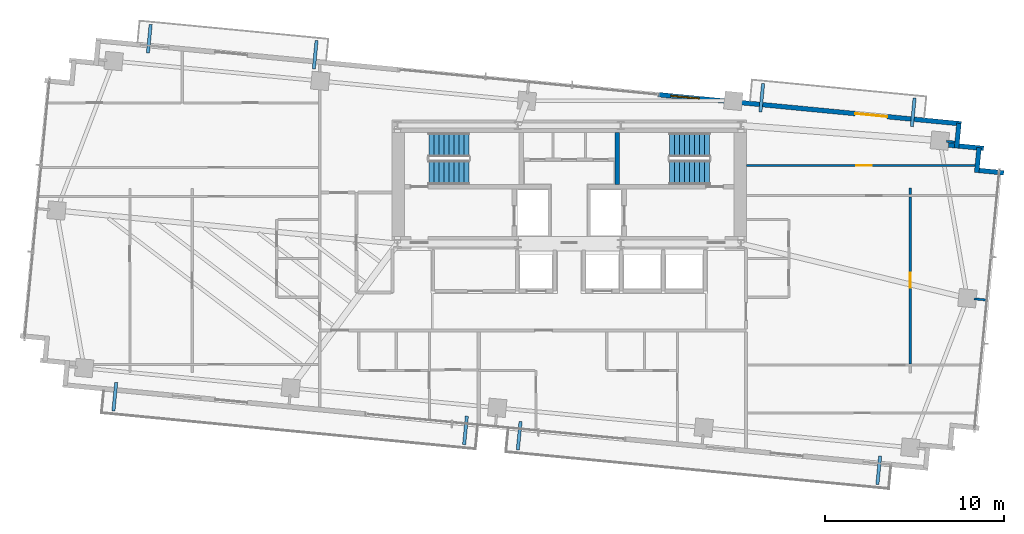
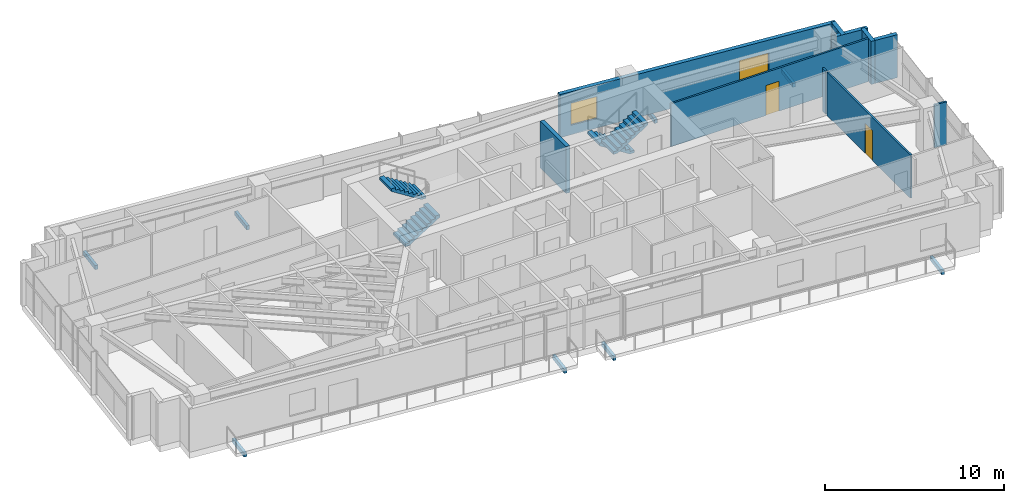
# One storey, part 17 of 19: 11 walls, 8 discrete accessories, 4 stair flights, 3 doors, 1 window, 4 openings, 2 elements without a shape of their own.
"""IFC4 building model written with IfcOpenShell, lengths in metres."""

from ifc_helpers import new_model, si_unit, direction, frame, frame_2d, origin, origin_2d, place, context, subcontext, project, spatial, polyline, rectangle, outline, extrude, source, transform, mapped, material, layer, layer_set, type_object, type_shapes, element, fill, aggregate, save


model = new_model("IFC4")

# Units and contexts
model_context = context("Model", 3, precision=1e-05, world=origin(), true_north=direction((0.0, 1.0)))
body_context = subcontext(model_context, "Body", "Model", "MODEL_VIEW")
ifc_project = project(units=[si_unit("LENGTHUNIT", "METRE"), si_unit("AREAUNIT", "SQUARE_METRE"), si_unit("VOLUMEUNIT", "CUBIC_METRE"), si_unit("PLANEANGLEUNIT", "RADIAN"), si_unit("MASSUNIT", "GRAM", prefix="KILO")], contexts=[model_context])

# Site, building, storey
site_placement = place(None, origin())
site = spatial("IfcSite", under=ifc_project, at=site_placement, CompositionType="ELEMENT")
building_placement = place(site_placement, origin())
building = spatial("IfcBuilding", under=site, at=building_placement, Name="Astriad Promenade Condominiums", CompositionType="ELEMENT")
storey_placement = place(building_placement, frame((0.0, 0.0, 124.60009765625)))
storey = spatial("IfcBuildingStorey", under=building, at=storey_placement, Name="L35", CompositionType="ELEMENT", Elevation=124.60009765625)

# Wall
ifc_material_1 = material(Name="Concrete C50/60", Category="concrete")
ifc_layer_1 = layer(ifc_material_1, 0.25)
ifc_layer_set_1 = layer_set([ifc_layer_1], Name="Concrete C50/60")
wall_type_1 = type_object("IfcWallType", Name="WALL-CORE-INT-250", PredefinedType="SOLIDWALL", material=ifc_layer_set_1)
wall_1_placement = place(storey_placement, frame((38.675048828125, 20.701904296875, 0.0), z_axis=(0.0, 0.0, 1.0), x_axis=(0.0, 1.0, 0.0)))
element("IfcWall", 1, at=wall_1_placement, inside=storey, type_object=wall_type_1, Name="CW-ST2-W-L35", PredefinedType="SOLIDWALL", context=body_context, shape_type="SweptSolid", body=[
    extrude(rectangle(XDim=2.89599609375, YDim=0.25, at=frame_2d((1.447998046875, 0.0))), origin(), (0.0, 0.0, 1.0), 3.199951171875),
])

# Wall, openings, door, window
ifc_material_2 = material(Name="Precast concrete C50/60", Category="concrete")
ifc_layer_2 = layer(ifc_material_2, 0.260009765625)
ifc_layer_set_2 = layer_set([ifc_layer_2], Name="Precast concrete C50/60")
wall_type_2 = type_object("IfcWallType", Name="WALL-EXT-TWR-260", PredefinedType="STANDARD", material=ifc_layer_set_2)
wall_2_placement = place(storey_placement, frame((40.9833984375, 25.726806640625, 0.0), z_axis=(0.0, 0.0, 1.0), x_axis=(0.995395844771, -0.095849424686, 0.0)))
wall_2 = element("IfcWall", 2, at=wall_2_placement, inside=storey, type_object=wall_type_2, Name="W-EXT-L35-N2", PredefinedType="STANDARD", context=body_context, shape_type="SweptSolid", body=[
    extrude(rectangle(XDim=17.009765625, YDim=0.260009765625, at=frame_2d((8.5048828125, 0.0))), origin(), (0.0, 0.0, 1.0), 2.93994140625),
])
opening_1_placement = place(wall_2_placement, frame((11.06005859375, 0.0, 0.0)))
opening_1 = element("IfcOpeningElement", 3, at=opening_1_placement, cuts=wall_2, Name="Opening BD-1822-SLD", PredefinedType="OPENING", context=body_context, shape_type="SweptSolid", body=[
    extrude(rectangle(XDim=1.800048828125, YDim=2.06005859375, at=frame_2d((0.89990234375, 1.030029296875))), frame((0.0, 0.139892578125, 0.0), z_axis=(0.0, -1.0, 0.0), x_axis=(1.0, 0.0, 0.0)), (0.0, 0.0, 1.0), 0.280029296875),
])
opening_2_placement = place(wall_2_placement, frame((0.699951171875, 0.0, 0.64990234375)))
opening_2 = element("IfcOpeningElement", 4, at=opening_2_placement, cuts=wall_2, Name="Opening WIN-TWR-1620", PredefinedType="OPENING", context=body_context, shape_type="SweptSolid", body=[
    extrude(rectangle(XDim=1.60009765625, YDim=1.5, at=frame_2d((0.800048828125, 0.75))), frame((0.0, 0.139892578125, 0.0), z_axis=(0.0, -1.0, 0.0), x_axis=(1.0, 0.0, 0.0)), (0.0, 0.0, 1.0), 0.280029296875),
])
ifc_material_3 = material(Name="Thermally Broken Aluminium Sliding Balcony Door", Category="aluminium")
door_type_1 = type_object("IfcDoorType", Name="BD-1822-SLD", OperationType="NOTDEFINED", PredefinedType="DOOR", material=ifc_material_3)
shared_shape_1 = source(origin(), body_context, "Body", "SweptSolid", [
    extrude(rectangle(XDim=1.800048828125, YDim=2.06005859375, at=frame_2d((0.89990234375, 1.030029296875))), frame((0.0, 0.02490234375, 0.0), z_axis=(0.0, -1.0, 0.0), x_axis=(1.0, 0.0, 0.0)), (0.0, 0.0, 1.0), 0.050048828125),
])
type_shapes(door_type_1, [shared_shape_1])
door_1_placement = place(opening_1_placement, origin())
door_1 = element("IfcDoor", 5, at=door_1_placement, inside=storey, type_object=door_type_1, Name="BD-L35-NE", OperationType="SLIDING_TO_RIGHT", OverallHeight=2.06005859375, OverallWidth=1.800048828125, PredefinedType="DOOR", context=body_context, shape_type="MappedRepresentation", body=[
    mapped(shared_shape_1, transform((0.0, 0.0, 0.0), scale=1.0)),
])
fill(opening_1, door_1)
ifc_material_4 = material(Name="Dark Tinted Triple-Glazed Aluminium Window", Category="aluminium")
window_type = type_object("IfcWindowType", Name="WIN-TWR-1620", PartitioningType="SINGLE_PANEL", PredefinedType="WINDOW", material=ifc_material_4)
shared_shape_2 = source(origin(), body_context, "Body", "SweptSolid", [
    extrude(rectangle(XDim=1.60009765625, YDim=1.5, at=frame_2d((0.800048828125, 0.75))), frame((0.0, 0.030029296875, 0.0), z_axis=(0.0, -1.0, 0.0), x_axis=(1.0, 0.0, 0.0)), (0.0, 0.0, 1.0), 0.06005859375),
])
type_shapes(window_type, [shared_shape_2])
window_placement = place(opening_2_placement, origin())
window = element("IfcWindow", 6, at=window_placement, inside=storey, type_object=window_type, Name="WIN-L35-NE", OverallHeight=1.5, OverallWidth=1.60009765625, PartitioningType="SINGLE_PANEL", PredefinedType="WINDOW", context=body_context, shape_type="MappedRepresentation", body=[
    mapped(shared_shape_2, transform((0.0, 0.0, 0.0), scale=1.0)),
])
fill(opening_2, window)

# Walls
wall_3_placement = place(storey_placement, frame((57.787109375, 24.123779296875, 0.0), z_axis=(0.0, 0.0, 1.0), x_axis=(-0.095915846097, -0.995389446633, 0.0)))
element("IfcWall", 7, at=wall_3_placement, inside=storey, type_object=wall_type_2, Name="W-SER-L35-09", PredefinedType="STANDARD", context=body_context, shape_type="SweptSolid", body=[
    extrude(rectangle(XDim=1.394775390625, YDim=0.260009765625, at=frame_2d((0.697265625, 0.0))), origin(), (0.0, 0.0, 1.0), 2.93994140625),
])
wall_4_placement = place(storey_placement, frame((57.199951171875, 22.909423828125, 0.0), z_axis=(0.0, 0.0, 1.0), x_axis=(0.995401789159, -0.095787672171, 0.0)))
element("IfcWall", 8, at=wall_4_placement, inside=storey, type_object=wall_type_2, Name="W-SER-L35-10", PredefinedType="STANDARD", context=body_context, shape_type="SweptSolid", body=[
    extrude(rectangle(XDim=1.977783203125, YDim=0.260009765625, at=frame_2d((0.98876953125, 0.0))), origin(), (0.0, 0.0, 1.0), 2.93994140625),
])
for number, where, z_axis, x_axis, name in (
    (9, (58.91162109375, 22.759765625, 0.0), (0.0, 0.0, 1.0), (-0.096072523012, -0.995374336781, 0.0), "W-SER-L35-11"),
    (10, (58.904541015625, 21.489501953125, 0.0), (0.0, 0.0, 1.0), (0.995391056452, -0.09589913835, 0.0), "W-SER-L35-12"),
):
    element("IfcWall", number, at=place(storey_placement, frame(where, z_axis=z_axis, x_axis=x_axis)), inside=storey, type_object=wall_type_2, Name=name, PredefinedType="STANDARD", context=body_context, shape_type="SweptSolid", body=[
        extrude(rectangle(XDim=1.39501953125, YDim=0.260009765625, at=frame_2d((0.697509765625, 0.0))), origin(), (0.0, 0.0, 1.0), 2.93994140625),
    ])

# Wall, opening, door
ifc_material_5 = material(Name="Acoustic Metal-Stud Gypsum Partition")
ifc_layer_3 = layer(ifc_material_5, 0.1201171875)
ifc_layer_set_3 = layer_set([ifc_layer_3], Name="Acoustic Metal-Stud Gypsum Partition")
wall_type_3 = type_object("IfcWallType", Name="WALL-PART-120", PredefinedType="PARTITIONING", material=ifc_layer_set_3)
wall_5_placement = place(storey_placement, frame((45.902099609375, 21.76806640625, 0.0), z_axis=(0.0, 0.0, 1.0), x_axis=(1.0, 0.0, 0.0)))
wall_5 = element("IfcWall", 11, at=wall_5_placement, inside=storey, type_object=wall_type_3, Name="PT-L35-E1-B1", PredefinedType="PARTITIONING", context=body_context, shape_type="SweptSolid", body=[
    extrude(rectangle(XDim=12.78125, YDim=0.1201171875, at=frame_2d((6.390625, 0.0))), origin(), (0.0, 0.0, 1.0), 2.93994140625),
])
opening_3_placement = place(wall_5_placement, frame((6.14599609375, 0.0, 0.0)))
opening_3 = element("IfcOpeningElement", 12, at=opening_3_placement, cuts=wall_5, Name="Opening D-INT-085", PredefinedType="OPENING", context=body_context, shape_type="SweptSolid", body=[
    extrude(rectangle(XDim=0.85009765625, YDim=2.050048828125, at=frame_2d((0.425048828125, 1.02490234375))), frame((0.0, 0.070068359375, 0.0), z_axis=(0.0, -1.0, 0.0), x_axis=(1.0, 0.0, 0.0)), (0.0, 0.0, 1.0), 0.14013671875),
])
ifc_material_6 = material(Name="Painted Solid-Core Timber Room Door", Category="wood")
door_type_2 = type_object("IfcDoorType", Name="D-INT-085", OperationType="NOTDEFINED", PredefinedType="DOOR", material=ifc_material_6)
shared_shape_3 = source(origin(), body_context, "Body", "SweptSolid", [
    extrude(rectangle(XDim=0.85009765625, YDim=2.050048828125, at=frame_2d((0.425048828125, 1.02490234375))), frame((0.0, 0.02490234375, 0.0), z_axis=(0.0, -1.0, 0.0), x_axis=(1.0, 0.0, 0.0)), (0.0, 0.0, 1.0), 0.050048828125),
])
type_shapes(door_type_2, [shared_shape_3])
door_2_placement = place(opening_3_placement, origin())
door_2 = element("IfcDoor", 13, at=door_2_placement, inside=storey, type_object=door_type_2, Name="D-BD1-L35-E1", OperationType="SINGLE_SWING_LEFT", OverallHeight=2.050048828125, OverallWidth=0.85009765625, PredefinedType="DOOR", context=body_context, shape_type="MappedRepresentation", body=[
    mapped(shared_shape_3, transform((0.0, 0.0, 0.0), scale=1.0)),
])
fill(opening_3, door_2)

wall_6_placement = place(storey_placement, frame((55.06201171875, 10.6708984375, 0.0), z_axis=(0.0, 0.0, 1.0), x_axis=(0.0, 1.0, 0.0)))
wall_6 = element("IfcWall", 14, at=wall_6_placement, inside=storey, type_object=wall_type_3, Name="PT-L35-E1-WDV3-S2", PredefinedType="PARTITIONING", context=body_context, shape_type="SweptSolid", body=[
    extrude(rectangle(XDim=9.34814453125, YDim=0.1201171875, at=frame_2d((4.674072265625, 0.0))), origin(), (0.0, 0.0, 1.0), 2.93994140625),
])
opening_4_placement = place(wall_6_placement, frame((4.2490234375, 0.0, 0.0)))
opening_4 = element("IfcOpeningElement", 15, at=opening_4_placement, cuts=wall_6, Name="Opening D-INT-085", PredefinedType="OPENING", context=body_context, shape_type="SweptSolid", body=[
    extrude(rectangle(XDim=0.85009765625, YDim=2.050048828125, at=frame_2d((0.425048828125, 1.02490234375))), frame((0.0, 0.070068359375, 0.0), z_axis=(0.0, -1.0, 0.0), x_axis=(1.0, 0.0, 0.0)), (0.0, 0.0, 1.0), 0.14013671875),
])
door_3_placement = place(opening_4_placement, origin())
door_3 = element("IfcDoor", 16, at=door_3_placement, inside=storey, type_object=door_type_2, Name="D-WDV3-L35-E1", OperationType="SINGLE_SWING_LEFT", OverallHeight=2.050048828125, OverallWidth=0.85009765625, PredefinedType="DOOR", context=body_context, shape_type="MappedRepresentation", body=[
    mapped(shared_shape_3, transform((0.0, 0.0, 0.0), scale=1.0)),
])
fill(opening_4, door_3)

# Walls
wall_7_placement = place(storey_placement, frame((55.06201171875, 20.14306640625, 0.0), z_axis=(0.0, 0.0, 1.0), x_axis=(0.0, 1.0, 0.0)))
element("IfcWall", 17, at=wall_7_placement, inside=storey, type_object=wall_type_3, Name="PT-L35-E1-WDV3-S3", PredefinedType="PARTITIONING", context=body_context, shape_type="SweptSolid", body=[
    extrude(rectangle(XDim=0.3779296875, YDim=0.1201171875, at=frame_2d((0.18896484375, 0.0))), origin(), (0.0, 0.0, 1.0), 2.93994140625),
])
wall_8_placement = place(storey_placement, frame((57.09765625, 23.120361328125, 0.0), z_axis=(0.0, 0.0, 1.0), x_axis=(0.995384576284, -0.09596637586, 0.0)))
element("IfcWall", 18, at=wall_8_placement, inside=storey, type_object=wall_type_3, Name="PT-PIL-L35-PC10-17", PredefinedType="PARTITIONING", context=body_context, shape_type="SweptSolid", body=[
    extrude(rectangle(XDim=0.4580078125, YDim=0.1201171875, at=frame_2d((0.22900390625, 0.0))), origin(), (0.0, 0.0, 1.0), 2.93994140625),
])
wall_9_placement = place(storey_placement, frame((58.640380859375, 14.31201171875, 0.0), z_axis=(0.0, 0.0, 1.0), x_axis=(0.995377786728, -0.096036772582, 0.0)))
element("IfcWall", 19, at=wall_9_placement, inside=storey, type_object=wall_type_3, Name="PT-PIL-L35-PC12-19", PredefinedType="PARTITIONING", context=body_context, shape_type="SweptSolid", body=[
    extrude(rectangle(XDim=0.760009765625, YDim=0.1201171875, at=frame_2d((0.3798828125, 0.0))), origin(), (0.0, 0.0, 1.0), 2.93994140625),
])

# Stair, stair flights
stair_type = type_object("IfcStairType", Name="STR-CORE-1350", PredefinedType="HALF_TURN_STAIR", material=ifc_material_1)
stair_1_placement = place(storey_placement, origin())
stair_1 = element("IfcStair", 20, at=stair_1_placement, inside=storey, type_object=stair_type, Name="L35 Enclosed Core Exit Stair ST-1", PredefinedType="HALF_TURN_STAIR")
stair_flight_type = type_object("IfcStairFlightType", Name="SFL-CORE-1350", PredefinedType="STRAIGHT", material=ifc_material_1)
shared_shape_4 = source(origin(), body_context, "Body", "SweptSolid", [
    extrude(outline(polyline([(0.0, 0.0), (0.0, 0.177734375), (0.280029296875, 0.177734375), (0.280029296875, 0.35546875), (0.56005859375, 0.35546875), (0.56005859375, 0.533447265625), (0.840087890625, 0.533447265625), (0.840087890625, 0.711181640625), (1.1201171875, 0.711181640625), (1.1201171875, 0.888916015625), (1.39990234375, 0.888916015625), (1.39990234375, 1.066650390625), (1.679931640625, 1.066650390625), (1.679931640625, 1.244384765625), (1.9599609375, 1.244384765625), (1.9599609375, 1.422119140625), (2.239990234375, 1.422119140625), (2.239990234375, 1.60009765625), (2.239990234375, 1.24462890625), (0.27978515625, 0.0), (0.0, 0.0)])), frame((0.0, 0.675048828125, 0.0), z_axis=(0.0, -1.0, 0.0), x_axis=(1.0, 0.0, 0.0)), (0.0, 0.0, 1.0), 1.35009765625),
])
type_shapes(stair_flight_type, [shared_shape_4])
stair_flight_1_placement = place(storey_placement, frame((28.14990234375, 21.375, 0.0), z_axis=(0.0, 0.0, 1.0), x_axis=(1.0, 0.0, 0.0)))
stair_flight_1 = element("IfcStairFlight", 21, at=stair_flight_1_placement, type_object=stair_flight_type, Name="ST-1 flight 1", NumberOfRisers=9, NumberOfTreads=8, PredefinedType="STRAIGHT", RiserHeight=0.177777778, TreadLength=0.28, context=body_context, shape_type="MappedRepresentation", body=[
    mapped(shared_shape_4, transform((0.0, 0.0, 0.0), scale=1.0)),
])
stair_flight_2_placement = place(storey_placement, frame((30.389892578125, 22.925048828125, 1.599853515625), z_axis=(0.0, 0.0, 1.0), x_axis=(-1.0, 0.0, 0.0)))
stair_flight_2 = element("IfcStairFlight", 22, at=stair_flight_2_placement, type_object=stair_flight_type, Name="ST-1 flight 2", NumberOfRisers=9, NumberOfTreads=8, PredefinedType="STRAIGHT", RiserHeight=0.177777778, TreadLength=0.28, context=body_context, shape_type="MappedRepresentation", body=[
    mapped(shared_shape_4, transform((0.0, 0.0, 0.0), scale=1.0)),
])
aggregate(stair_1, [stair_flight_1, stair_flight_2])

stair_2_placement = place(storey_placement, origin())
stair_2 = element("IfcStair", 23, at=stair_2_placement, inside=storey, type_object=stair_type, Name="L35 Enclosed Core Exit Stair ST-2", PredefinedType="HALF_TURN_STAIR")
stair_flight_3_placement = place(storey_placement, frame((43.85009765625, 22.925048828125, 0.0), z_axis=(0.0, 0.0, 1.0), x_axis=(-1.0, 0.0, 0.0)))
stair_flight_3 = element("IfcStairFlight", 24, at=stair_flight_3_placement, type_object=stair_flight_type, Name="ST-2 flight 1", NumberOfRisers=9, NumberOfTreads=8, PredefinedType="STRAIGHT", RiserHeight=0.177777778, TreadLength=0.28, context=body_context, shape_type="MappedRepresentation", body=[
    mapped(shared_shape_4, transform((0.0, 0.0, 0.0), scale=1.0)),
])
stair_flight_4_placement = place(storey_placement, frame((41.610107421875, 21.375, 1.599853515625), z_axis=(0.0, 0.0, 1.0), x_axis=(1.0, 0.0, 0.0)))
stair_flight_4 = element("IfcStairFlight", 25, at=stair_flight_4_placement, type_object=stair_flight_type, Name="ST-2 flight 2", NumberOfRisers=9, NumberOfTreads=8, PredefinedType="STRAIGHT", RiserHeight=0.177777778, TreadLength=0.28, context=body_context, shape_type="MappedRepresentation", body=[
    mapped(shared_shape_4, transform((0.0, 0.0, 0.0), scale=1.0)),
])
aggregate(stair_2, [stair_flight_3, stair_flight_4])

# Discrete accessories
ifc_material_7 = material(Name="Steel ASTM A572 Grade 50", Category="steel")
discrete_accessory_type = type_object("IfcDiscreteAccessoryType", Name="STEEL BALCONY OUTRIGGER BRACKET", PredefinedType="BRACKET", material=ifc_material_7)
shared_shape_5 = source(origin(), body_context, "Body", "SweptSolid", [
    extrude(rectangle(XDim=1.60009765625, YDim=0.179931640625, at=origin_2d()), origin(), (0.0, 0.0, 1.0), 0.281982421875),
])
type_shapes(discrete_accessory_type, [shared_shape_5])
for number, where, z_axis, x_axis, name in (
    (26, (10.595947265625, 8.841552734375, -0.5), (0.0, 0.0, 1.0), (-0.09584575252, -0.995396198367, 0.0), "Balcony Outrigger Bracket BAL-L35-SW-A"),
    (27, (30.2001953125, 6.953857421875, -0.5), (0.0, 0.0, 1.0), (-0.09584575252, -0.995396198367, 0.0), "Balcony Outrigger Bracket BAL-L35-SW-B"),
    (28, (33.202392578125, 6.664794921875, -0.5), (0.0, 0.0, 1.0), (-0.09584575252, -0.995396198367, 0.0), "Balcony Outrigger Bracket BAL-L35-SE-A"),
    (29, (53.304443359375, 4.729248046875, -0.5), (0.0, 0.0, 1.0), (-0.09584575252, -0.995396198367, 0.0), "Balcony Outrigger Bracket BAL-L35-SE-B"),
    (30, (12.5224609375, 28.84912109375, -0.5), (0.0, 0.0, 1.0), (0.09584575252, 0.995396198367, 0.0), "Balcony Outrigger Bracket BAL-L35-NW-A"),
    (31, (21.798583984375, 27.955810546875, -0.5), (0.0, 0.0, 1.0), (0.09584575252, 0.995396198367, 0.0), "Balcony Outrigger Bracket BAL-L35-NW-B"),
    (32, (46.76318359375, 25.552001953125, -0.5), (0.0, 0.0, 1.0), (0.09584575252, 0.995396198367, 0.0), "Balcony Outrigger Bracket BAL-L35-NE-A"),
    (33, (55.23095703125, 24.736572265625, -0.5), (0.0, 0.0, 1.0), (0.09584575252, 0.995396198367, 0.0), "Balcony Outrigger Bracket BAL-L35-NE-B"),
):
    element("IfcDiscreteAccessory", number, at=place(storey_placement, frame(where, z_axis=z_axis, x_axis=x_axis)), inside=storey, type_object=discrete_accessory_type, Name=name, PredefinedType="BRACKET", context=body_context, shape_type="MappedRepresentation", body=[
        mapped(shared_shape_5, transform((0.0, 0.0, 0.0), scale=1.0)),
    ])

save(model, "model.ifc")
